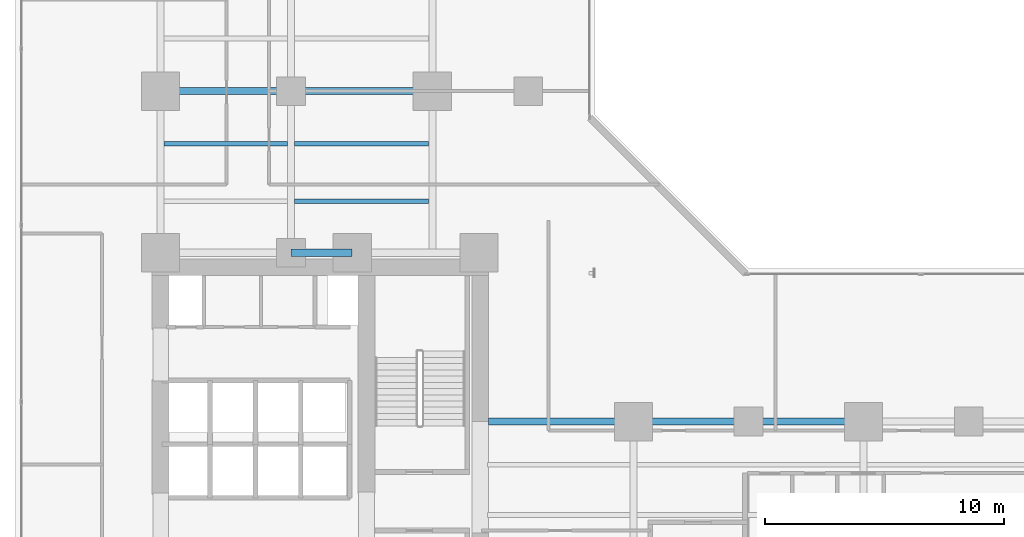
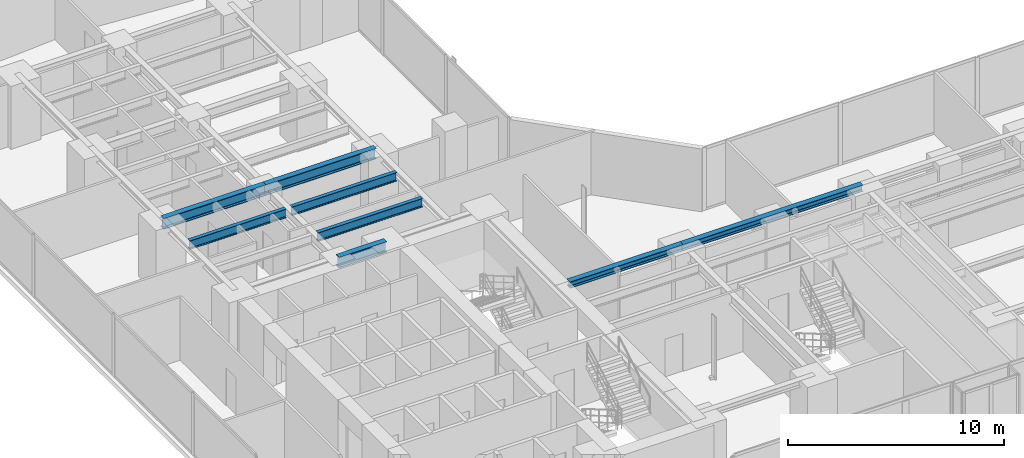
# One storey, part 7 of 29: 8 beams.
"""IFC4 building model written with IfcOpenShell, lengths in metres."""

from ifc_helpers import new_model, si_unit, direction, frame, origin, origin_2d, place, context, subcontext, project, spatial, i_section, extrude, material, material_profile, profile_set, type_object, element, save


model = new_model("IFC4")

# Units and contexts
model_context = context("Model", 3, precision=1e-05, world=origin(), true_north=direction((0.0, 1.0)))
body_context = subcontext(model_context, "Body", "Model", "MODEL_VIEW")
ifc_project = project(units=[si_unit("LENGTHUNIT", "METRE"), si_unit("AREAUNIT", "SQUARE_METRE"), si_unit("VOLUMEUNIT", "CUBIC_METRE"), si_unit("PLANEANGLEUNIT", "RADIAN"), si_unit("MASSUNIT", "GRAM", prefix="KILO")], contexts=[model_context])

# Site, building, storey
site_placement = place(None, origin())
site = spatial("IfcSite", under=ifc_project, at=site_placement, CompositionType="ELEMENT")
building_placement = place(site_placement, origin())
building = spatial("IfcBuilding", under=site, at=building_placement, Name="Kolvaren Waterfront Exchange", CompositionType="ELEMENT")
storey_placement = place(building_placement, frame((0.0, 0.0, 37.199951171875)))
storey = spatial("IfcBuildingStorey", under=building, at=storey_placement, Name="L09", CompositionType="ELEMENT", Elevation=37.199951171875)

# Beams
ifc_material = material(Name="Steel S355", Category="steel")
ifc_material_profile_1 = material_profile(ifc_material, i_section(OverallWidth=0.300048828125, OverallDepth=0.360107421875, WebThickness=0.012451171875, FlangeThickness=0.0224609375, FilletRadius=0.027099609375, at=origin_2d()), Name="HEB360")
ifc_profile_set_1 = profile_set([ifc_material_profile_1], Name="Steel S355")
beam_type_1 = type_object("IfcBeamType", Name="STR-BM-HEB360", PredefinedType="SPANDREL", material=ifc_profile_set_1)
beam_1_placement = place(storey_placement, frame((21.14990234375, 17.39990234375, 3.360107421875), z_axis=(1.0, 0.0, 0.0), x_axis=(0.0, 1.0, 0.0)))
element("IfcBeam", 1, at=beam_1_placement, inside=storey, type_object=beam_type_1, Name="L09 east-arm spandrel N1", PredefinedType="SPANDREL", context=body_context, shape_type="SweptSolid", body=[
    extrude(i_section(OverallWidth=0.300048828125, OverallDepth=0.360107421875, WebThickness=0.012451171875, FlangeThickness=0.0224609375, FilletRadius=0.027099609375, at=origin_2d()), origin(), (0.0, 0.0, 1.0), 6.050048828125),
])
beam_2_placement = place(storey_placement, frame((27.199951171875, 17.39990234375, 3.360107421875), z_axis=(1.0, 0.0, 0.0), x_axis=(0.0, 1.0, 0.0)))
element("IfcBeam", 2, at=beam_2_placement, inside=storey, type_object=beam_type_1, Name="L09 east-arm spandrel N2", PredefinedType="SPANDREL", context=body_context, shape_type="SweptSolid", body=[
    extrude(i_section(OverallWidth=0.300048828125, OverallDepth=0.360107421875, WebThickness=0.012451171875, FlangeThickness=0.0224609375, FilletRadius=0.027099609375, at=origin_2d()), origin(), (0.0, 0.0, 1.0), 9.60009765625),
])
ifc_material_profile_2 = material_profile(ifc_material, i_section(OverallWidth=0.300048828125, OverallDepth=0.60009765625, WebThickness=0.015380859375, FlangeThickness=0.030029296875, FilletRadius=0.027099609375, at=origin_2d()), Name="HEB600")
ifc_profile_set_2 = profile_set([ifc_material_profile_2], Name="Steel S355")
beam_type_2 = type_object("IfcBeamType", Name="STR-BM-HEB600", PredefinedType="BEAM", material=ifc_profile_set_2)
beam_3_placement = place(storey_placement, frame((12.89990234375, 24.449951171875, 3.239990234375), z_axis=(1.0, 0.0, 0.0), x_axis=(0.0, 1.0, 0.0)))
element("IfcBeam", 3, at=beam_3_placement, inside=storey, type_object=beam_type_2, Name="L09 north-arm girder 1B", PredefinedType="BEAM", context=body_context, shape_type="SweptSolid", body=[
    extrude(i_section(OverallWidth=0.300048828125, OverallDepth=0.60009765625, WebThickness=0.015380859375, FlangeThickness=0.030029296875, FilletRadius=0.027099609375, at=origin_2d()), origin(), (0.0, 0.0, 1.0), 2.550048828125),
])
beam_4_placement = place(storey_placement, frame((7.449951171875, 31.199951171875, 3.239990234375), z_axis=(1.0, 0.0, 0.0), x_axis=(0.0, 1.0, 0.0)))
element("IfcBeam", 4, at=beam_4_placement, inside=storey, type_object=beam_type_2, Name="L09 north-arm girder 2A", PredefinedType="BEAM", context=body_context, shape_type="SweptSolid", body=[
    extrude(i_section(OverallWidth=0.300048828125, OverallDepth=0.60009765625, WebThickness=0.015380859375, FlangeThickness=0.030029296875, FilletRadius=0.027099609375, at=origin_2d()), origin(), (0.0, 0.0, 1.0), 5.449951171875),
])
beam_5_placement = place(storey_placement, frame((12.89990234375, 31.199951171875, 3.239990234375), z_axis=(1.0, 0.0, 0.0), x_axis=(0.0, 1.0, 0.0)))
element("IfcBeam", 5, at=beam_5_placement, inside=storey, type_object=beam_type_2, Name="L09 north-arm girder 2B", PredefinedType="BEAM", context=body_context, shape_type="SweptSolid", body=[
    extrude(i_section(OverallWidth=0.300048828125, OverallDepth=0.60009765625, WebThickness=0.015380859375, FlangeThickness=0.030029296875, FilletRadius=0.027099609375, at=origin_2d()), origin(), (0.0, 0.0, 1.0), 5.900146484375),
])
ifc_material_profile_3 = material_profile(ifc_material, i_section(OverallWidth=0.199951171875, OverallDepth=0.5, WebThickness=0.01025390625, FlangeThickness=0.01611328125, FilletRadius=0.02099609375, at=origin_2d()), Name="IPE500")
ifc_profile_set_3 = profile_set([ifc_material_profile_3], Name="Steel S355")
beam_type_3 = type_object("IfcBeamType", Name="STR-BM-IPE500", PredefinedType="JOIST", material=ifc_profile_set_3)
beam_6_placement = place(storey_placement, frame((13.052001953125, 26.60009765625, 3.2900390625), z_axis=(1.0, 0.0, 0.0), x_axis=(0.0, 1.0, 0.0)))
element("IfcBeam", 6, at=beam_6_placement, inside=storey, type_object=beam_type_3, Name="L09 north-arm composite joist 1B", PredefinedType="JOIST", context=body_context, shape_type="SweptSolid", body=[
    extrude(i_section(OverallWidth=0.199951171875, OverallDepth=0.5, WebThickness=0.01025390625, FlangeThickness=0.01611328125, FilletRadius=0.02099609375, at=origin_2d()), origin(), (0.0, 0.0, 1.0), 5.595947265625),
])
beam_7_placement = place(storey_placement, frame((7.60205078125, 29.0, 3.2900390625), z_axis=(1.0, 0.0, 0.0), x_axis=(0.0, 1.0, 0.0)))
element("IfcBeam", 7, at=beam_7_placement, inside=storey, type_object=beam_type_3, Name="L09 north-arm composite joist 2A", PredefinedType="JOIST", context=body_context, shape_type="SweptSolid", body=[
    extrude(i_section(OverallWidth=0.199951171875, OverallDepth=0.5, WebThickness=0.01025390625, FlangeThickness=0.01611328125, FilletRadius=0.02099609375, at=origin_2d()), origin(), (0.0, 0.0, 1.0), 5.14599609375),
])
beam_8_placement = place(storey_placement, frame((13.052001953125, 29.0, 3.2900390625), z_axis=(1.0, 0.0, 0.0), x_axis=(0.0, 1.0, 0.0)))
element("IfcBeam", 8, at=beam_8_placement, inside=storey, type_object=beam_type_3, Name="L09 north-arm composite joist 2B", PredefinedType="JOIST", context=body_context, shape_type="SweptSolid", body=[
    extrude(i_section(OverallWidth=0.199951171875, OverallDepth=0.5, WebThickness=0.01025390625, FlangeThickness=0.01611328125, FilletRadius=0.02099609375, at=origin_2d()), origin(), (0.0, 0.0, 1.0), 5.595947265625),
])

save(model, "model.ifc")
